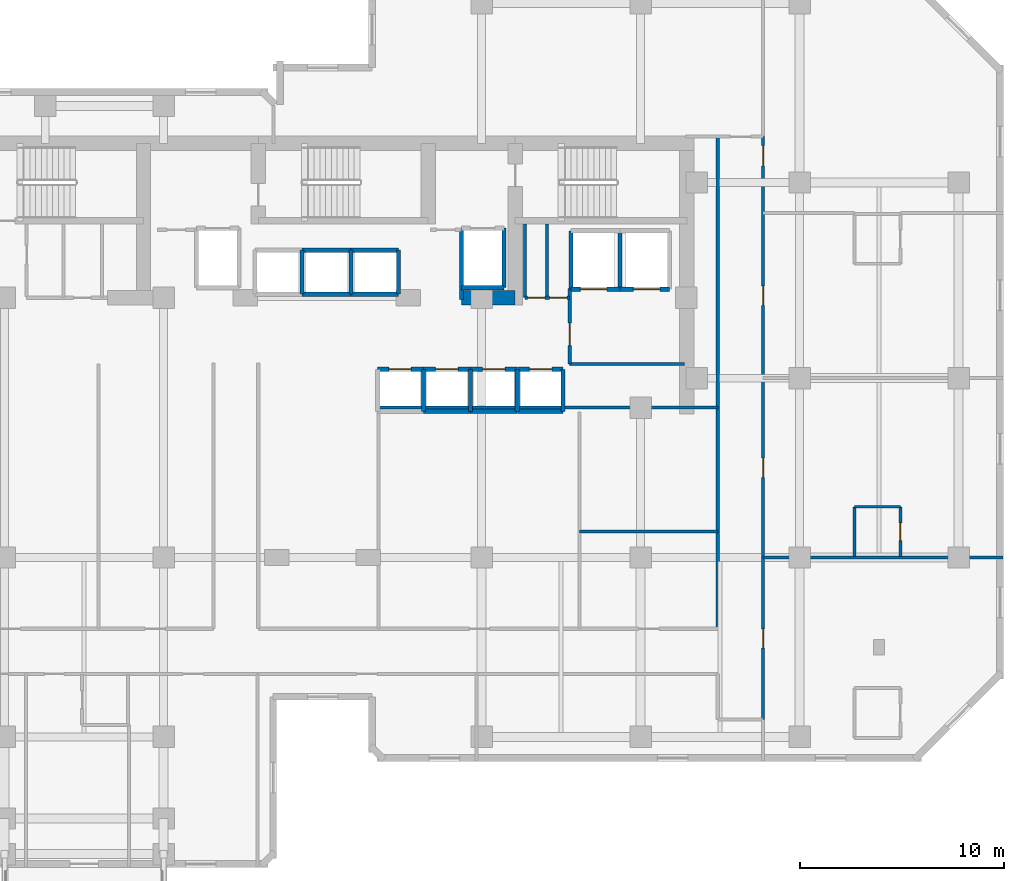
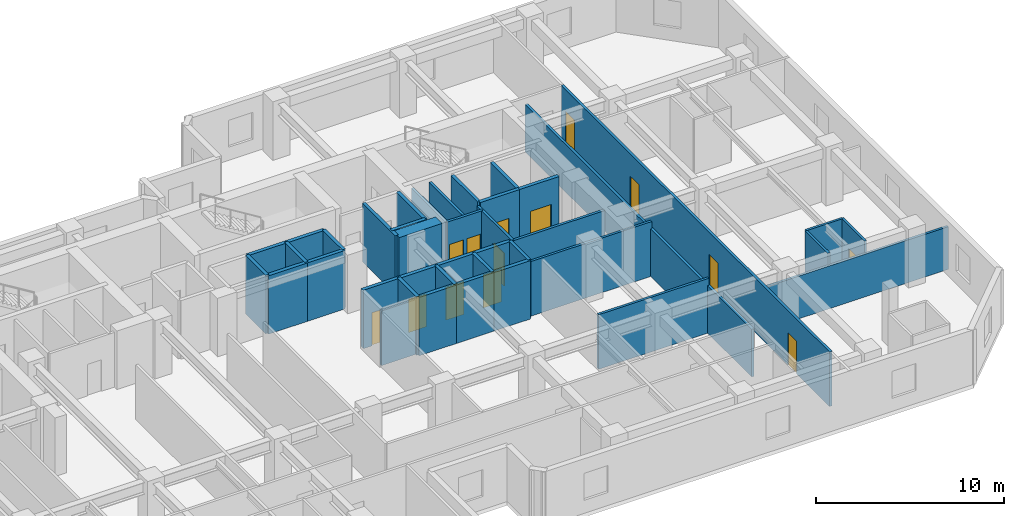
# One storey, part 7 of 11: 39 walls, 14 doors, 14 openings.
"""IFC4 building model written with IfcOpenShell, lengths in metres."""

from ifc_helpers import new_model, si_unit, direction, frame, frame_2d, origin, place, context, subcontext, project, spatial, rectangle, extrude, material, layer, layer_set, type_object, element, fill, save


model = new_model("IFC4")

# Units and contexts
model_context = context("Model", 3, precision=1e-05, world=origin(), true_north=direction((0.0, 1.0)))
body_context = subcontext(model_context, "Body", "Model", "MODEL_VIEW")
ifc_project = project(units=[si_unit("LENGTHUNIT", "METRE"), si_unit("AREAUNIT", "SQUARE_METRE"), si_unit("VOLUMEUNIT", "CUBIC_METRE"), si_unit("PLANEANGLEUNIT", "RADIAN"), si_unit("MASSUNIT", "GRAM", prefix="KILO")], contexts=[model_context])

# Site, building, storey
site_placement = place(None, origin())
site = spatial("IfcSite", under=ifc_project, at=site_placement, CompositionType="ELEMENT")
building_placement = place(site_placement, origin())
building = spatial("IfcBuilding", under=site, at=building_placement, Name="Kestravale Grand Hotel", CompositionType="ELEMENT")
storey_placement = place(building_placement, frame((0.0, 0.0, 168.800048828125)))
storey = spatial("IfcBuildingStorey", under=building, at=storey_placement, Name="L42", CompositionType="ELEMENT", Elevation=168.800048828125)

# Wall
ifc_material_1 = material(Name="Concrete f'c 60 MPa", Category="concrete")
ifc_layer_1 = layer(ifc_material_1, 0.699951171875)
ifc_layer_set_1 = layer_set([ifc_layer_1], Name="EW-CORE-700")
wall_type_1 = type_object("IfcWallType", Name="EW-CORE-700", PredefinedType="SHEAR", material=ifc_layer_set_1)
wall_1_placement = place(storey_placement, frame((45.81005859375, 32.75, 0.0), z_axis=(0.0, 0.0, 1.0), x_axis=(1.0, 0.0, 0.0)))
element("IfcWall", 1, at=wall_1_placement, inside=storey, type_object=wall_type_1, Name="L42 core shear wall S2", PredefinedType="SHEAR", context=body_context, shape_type="SweptSolid", body=[
    extrude(rectangle(XDim=2.639892578125, YDim=0.699951171875, at=frame_2d((1.31982421875, 0.0))), origin(), (0.0, 0.0, 1.0), 3.800048828125),
])

# Wall, opening, door
ifc_material_2 = material(Name="Acoustic fire-rated gypsum board partition", Category="other")
ifc_layer_2 = layer(ifc_material_2, 0.159912109375)
ifc_layer_set_2 = layer_set([ifc_layer_2], Name="IW-CORR-160")
wall_type_2 = type_object("IfcWallType", Name="IW-CORR-160", PredefinedType="PARTITIONING", material=ifc_layer_set_2)
wall_2_placement = place(storey_placement, frame((51.1201171875, 29.5, 0.0), z_axis=(0.0, 0.0, 1.0), x_axis=(0.0, 1.0, 0.0)))
wall_2 = element("IfcWall", 2, at=wall_2_placement, inside=storey, type_object=wall_type_2, Name="W-L42-SVCLOB-W", PredefinedType="PARTITIONING", context=body_context, shape_type="SweptSolid", body=[
    extrude(rectangle(XDim=3.699951171875, YDim=0.159912109375, at=frame_2d((1.85009765625, 0.0))), origin(), (0.0, 0.0, 1.0), 3.550048828125),
])
opening_1_placement = place(wall_2_placement, frame((0.89990234375, 0.0, 0.0)))
opening_1 = element("IfcOpeningElement", 3, at=opening_1_placement, cuts=wall_2, Name="Opening D-CORR-1100", PredefinedType="OPENING", context=body_context, shape_type="SweptSolid", body=[
    extrude(rectangle(XDim=1.10009765625, YDim=2.14990234375, at=frame_2d((0.550048828125, 1.074951171875))), frame((0.0, 0.08984375, 0.0), z_axis=(0.0, -1.0, 0.0), x_axis=(1.0, 0.0, 0.0)), (0.0, 0.0, 1.0), 0.179931640625),
])
ifc_material_3 = material(Name="Single-leaf service vestibule fire door", Category="steel")
door_type_1 = type_object("IfcDoorType", Name="D-CORR-1100", OperationType="NOTDEFINED", PredefinedType="DOOR", material=ifc_material_3)
door_1_placement = place(opening_1_placement, origin())
door_1 = element("IfcDoor", 4, at=door_1_placement, inside=storey, type_object=door_type_1, Name="L42 service lift lobby door", OperationType="SINGLE_SWING_LEFT", OverallHeight=2.14990234375, OverallWidth=1.10009765625, PredefinedType="DOOR", context=body_context, shape_type="SweptSolid", body=[
    extrude(rectangle(XDim=1.10009765625, YDim=2.14990234375, at=frame_2d((0.550048828125, 1.074951171875))), frame((0.0, 0.02490234375, 0.0), z_axis=(0.0, -1.0, 0.0), x_axis=(1.0, 0.0, 0.0)), (0.0, 0.0, 1.0), 0.050048828125),
])
fill(opening_1, door_1)

# Wall
wall_3_placement = place(storey_placement, frame((51.1201171875, 29.5, 0.0), z_axis=(0.0, 0.0, 1.0), x_axis=(1.0, 0.0, 0.0)))
element("IfcWall", 5, at=wall_3_placement, inside=storey, type_object=wall_type_2, Name="L42 service lift lobby wall", PredefinedType="PARTITIONING", context=body_context, shape_type="SweptSolid", body=[
    extrude(rectangle(XDim=5.6298828125, YDim=0.159912109375, at=frame_2d((2.81494140625, 0.0))), origin(), (0.0, 0.0, 1.0), 3.550048828125),
])

# Wall, openings, doors
wall_4_placement = place(storey_placement, frame((48.919921875, 32.75, 0.0), z_axis=(0.0, 0.0, 1.0), x_axis=(1.0, 0.0, 0.0)))
wall_4 = element("IfcWall", 6, at=wall_4_placement, inside=storey, type_object=wall_type_2, Name="W-L42-CES", PredefinedType="PARTITIONING", context=body_context, shape_type="SweptSolid", body=[
    extrude(rectangle(XDim=2.2001953125, YDim=0.159912109375, at=frame_2d((1.10009765625, 0.0))), origin(), (0.0, 0.0, 1.0), 3.550048828125),
])
opening_2_placement = place(wall_4_placement, frame((0.139892578125, 0.0, 0.0)))
opening_2 = element("IfcOpeningElement", 7, at=opening_2_placement, cuts=wall_4, Name="Opening D-SH-860", PredefinedType="OPENING", context=body_context, shape_type="SweptSolid", body=[
    extrude(rectangle(XDim=0.860107421875, YDim=2.050048828125, at=frame_2d((0.43017578125, 1.02490234375))), frame((0.0, 0.08984375, 0.0), z_axis=(0.0, -1.0, 0.0), x_axis=(1.0, 0.0, 0.0)), (0.0, 0.0, 1.0), 0.179931640625),
])
opening_3_placement = place(wall_4_placement, frame((1.199951171875, 0.0, 0.0)))
opening_3 = element("IfcOpeningElement", 8, at=opening_3_placement, cuts=wall_4, Name="Opening D-SH-860", PredefinedType="OPENING", context=body_context, shape_type="SweptSolid", body=[
    extrude(rectangle(XDim=0.860107421875, YDim=2.050048828125, at=frame_2d((0.43017578125, 1.02490234375))), frame((0.0, 0.08984375, 0.0), z_axis=(0.0, -1.0, 0.0), x_axis=(1.0, 0.0, 0.0)), (0.0, 0.0, 1.0), 0.179931640625),
])
ifc_material_4 = material(Name="Galvanised 90-minute riser fire door", Category="steel")
door_type_2 = type_object("IfcDoorType", Name="D-SH-860", OperationType="NOTDEFINED", PredefinedType="DOOR", material=ifc_material_4)
door_2_placement = place(opening_2_placement, origin())
door_2 = element("IfcDoor", 9, at=door_2_placement, inside=storey, type_object=door_type_2, Name="L42 CSTO1 door", OperationType="SINGLE_SWING_LEFT", OverallHeight=2.050048828125, OverallWidth=0.860107421875, PredefinedType="DOOR", context=body_context, shape_type="SweptSolid", body=[
    extrude(rectangle(XDim=0.860107421875, YDim=2.050048828125, at=frame_2d((0.43017578125, 1.02490234375))), frame((0.0, 0.02490234375, 0.0), z_axis=(0.0, -1.0, 0.0), x_axis=(1.0, 0.0, 0.0)), (0.0, 0.0, 1.0), 0.050048828125),
])
fill(opening_2, door_2)
door_3_placement = place(opening_3_placement, origin())
door_3 = element("IfcDoor", 10, at=door_3_placement, inside=storey, type_object=door_type_2, Name="L42 CSTO2 door", OperationType="SINGLE_SWING_RIGHT", OverallHeight=2.050048828125, OverallWidth=0.860107421875, PredefinedType="DOOR", context=body_context, shape_type="SweptSolid", body=[
    extrude(rectangle(XDim=0.860107421875, YDim=2.050048828125, at=frame_2d((0.43017578125, 1.02490234375))), frame((0.0, 0.02490234375, 0.0), z_axis=(0.0, -1.0, 0.0), x_axis=(1.0, 0.0, 0.0)), (0.0, 0.0, 1.0), 0.050048828125),
])
fill(opening_3, door_3)

wall_5_placement = place(storey_placement, frame((60.610107421875, 12.050048828125, 0.0), z_axis=(0.0, 0.0, 1.0), x_axis=(0.0, 1.0, 0.0)))
wall_5 = element("IfcWall", 11, at=wall_5_placement, inside=storey, type_object=wall_type_2, Name="W-L42-SE-E", PredefinedType="PARTITIONING", context=body_context, shape_type="SweptSolid", body=[
    extrude(rectangle(XDim=28.599853515625, YDim=0.159912109375, at=frame_2d((14.2998046875, 0.0))), origin(), (0.0, 0.0, 1.0), 3.550048828125),
])
opening_4_placement = place(wall_5_placement, frame((3.5, 0.0, 0.0)))
opening_4 = element("IfcOpeningElement", 12, at=opening_4_placement, cuts=wall_5, Name="Opening D-GUEST-950", PredefinedType="OPENING", context=body_context, shape_type="SweptSolid", body=[
    extrude(rectangle(XDim=0.949951171875, YDim=2.10009765625, at=frame_2d((0.47509765625, 1.050048828125))), frame((0.0, 0.08984375, 0.0), z_axis=(0.0, -1.0, 0.0), x_axis=(1.0, 0.0, 0.0)), (0.0, 0.0, 1.0), 0.179931640625),
])
opening_5_placement = place(wall_5_placement, frame((11.875, 0.0, 0.0)))
opening_5 = element("IfcOpeningElement", 13, at=opening_5_placement, cuts=wall_5, Name="Opening D-GUEST-950", PredefinedType="OPENING", context=body_context, shape_type="SweptSolid", body=[
    extrude(rectangle(XDim=0.949951171875, YDim=2.10009765625, at=frame_2d((0.47509765625, 1.050048828125))), frame((0.0, 0.08984375, 0.0), z_axis=(0.0, -1.0, 0.0), x_axis=(1.0, 0.0, 0.0)), (0.0, 0.0, 1.0), 0.179931640625),
])
opening_6_placement = place(wall_5_placement, frame((20.324951171875, 0.0, 0.0)))
opening_6 = element("IfcOpeningElement", 14, at=opening_6_placement, cuts=wall_5, Name="Opening D-GUEST-950", PredefinedType="OPENING", context=body_context, shape_type="SweptSolid", body=[
    extrude(rectangle(XDim=0.949951171875, YDim=2.10009765625, at=frame_2d((0.47509765625, 1.050048828125))), frame((0.0, 0.08984375, 0.0), z_axis=(0.0, -1.0, 0.0), x_axis=(1.0, 0.0, 0.0)), (0.0, 0.0, 1.0), 0.179931640625),
])
opening_7_placement = place(wall_5_placement, frame((27.159912109375, 0.0, 0.0)))
opening_7 = element("IfcOpeningElement", 15, at=opening_7_placement, cuts=wall_5, Name="Opening D-GUEST-1000", PredefinedType="OPENING", context=body_context, shape_type="SweptSolid", body=[
    extrude(rectangle(XDim=1.0, YDim=2.14990234375, at=frame_2d((0.5, 1.074951171875))), frame((0.0, 0.08984375, 0.0), z_axis=(0.0, -1.0, 0.0), x_axis=(1.0, 0.0, 0.0)), (0.0, 0.0, 1.0), 0.179931640625),
])
ifc_material_5 = material(Name="Accessible walnut veneer hotel entrance fire door", Category="wood")
door_type_3 = type_object("IfcDoorType", Name="D-GUEST-1000", OperationType="NOTDEFINED", PredefinedType="DOOR", material=ifc_material_5)
door_4_placement = place(opening_7_placement, origin())
door_4 = element("IfcDoor", 16, at=door_4_placement, inside=storey, type_object=door_type_3, Name="D-L42-AMEW", OperationType="SINGLE_SWING_RIGHT", OverallHeight=2.14990234375, OverallWidth=1.0, PredefinedType="DOOR", context=body_context, shape_type="SweptSolid", body=[
    extrude(rectangle(XDim=1.0, YDim=2.14990234375, at=frame_2d((0.5, 1.074951171875))), frame((0.0, 0.02490234375, 0.0), z_axis=(0.0, -1.0, 0.0), x_axis=(1.0, 0.0, 0.0)), (0.0, 0.0, 1.0), 0.050048828125),
])
fill(opening_7, door_4)
ifc_material_6 = material(Name="Walnut veneer hotel guestroom entrance fire door", Category="wood")
door_type_4 = type_object("IfcDoorType", Name="D-GUEST-950", OperationType="NOTDEFINED", PredefinedType="DOOR", material=ifc_material_6)
door_5_placement = place(opening_4_placement, origin())
door_5 = element("IfcDoor", 17, at=door_5_placement, inside=storey, type_object=door_type_4, Name="D-L42-U06-ENT", OperationType="SINGLE_SWING_LEFT", OverallHeight=2.10009765625, OverallWidth=0.949951171875, PredefinedType="DOOR", context=body_context, shape_type="SweptSolid", body=[
    extrude(rectangle(XDim=0.949951171875, YDim=2.10009765625, at=frame_2d((0.47509765625, 1.050048828125))), frame((0.0, 0.02490234375, 0.0), z_axis=(0.0, -1.0, 0.0), x_axis=(1.0, 0.0, 0.0)), (0.0, 0.0, 1.0), 0.050048828125),
])
fill(opening_4, door_5)
door_6_placement = place(opening_5_placement, origin())
door_6 = element("IfcDoor", 18, at=door_6_placement, inside=storey, type_object=door_type_4, Name="D-L42-U07-ENT", OperationType="SINGLE_SWING_LEFT", OverallHeight=2.10009765625, OverallWidth=0.949951171875, PredefinedType="DOOR", context=body_context, shape_type="SweptSolid", body=[
    extrude(rectangle(XDim=0.949951171875, YDim=2.10009765625, at=frame_2d((0.47509765625, 1.050048828125))), frame((0.0, 0.02490234375, 0.0), z_axis=(0.0, -1.0, 0.0), x_axis=(1.0, 0.0, 0.0)), (0.0, 0.0, 1.0), 0.050048828125),
])
fill(opening_5, door_6)
door_7_placement = place(opening_6_placement, origin())
door_7 = element("IfcDoor", 19, at=door_7_placement, inside=storey, type_object=door_type_4, Name="D-L42-U08-ENT", OperationType="SINGLE_SWING_LEFT", OverallHeight=2.10009765625, OverallWidth=0.949951171875, PredefinedType="DOOR", context=body_context, shape_type="SweptSolid", body=[
    extrude(rectangle(XDim=0.949951171875, YDim=2.10009765625, at=frame_2d((0.47509765625, 1.050048828125))), frame((0.0, 0.02490234375, 0.0), z_axis=(0.0, -1.0, 0.0), x_axis=(1.0, 0.0, 0.0)), (0.0, 0.0, 1.0), 0.050048828125),
])
fill(opening_6, door_7)

# Walls
wall_6_placement = place(storey_placement, frame((58.389892578125, 16.510009765625, 0.0), z_axis=(0.0, 0.0, 1.0), x_axis=(0.0, 1.0, 0.0)))
element("IfcWall", 20, at=wall_6_placement, inside=storey, type_object=wall_type_2, Name="W-L42-SE-WU", PredefinedType="PARTITIONING", context=body_context, shape_type="SweptSolid", body=[
    extrude(rectangle(XDim=24.139892578125, YDim=0.159912109375, at=frame_2d((12.06982421875, 0.0))), origin(), (0.0, 0.0, 1.0), 3.093017578125),
])
ifc_material_7 = material(Name="Moisture-resistant tile-backer plumbing chase wall", Category="other")
ifc_layer_3 = layer(ifc_material_7, 0.139892578125)
ifc_layer_set_3 = layer_set([ifc_layer_3], Name="IW-PLB-140")
wall_type_3 = type_object("IfcWallType", Name="IW-PLB-140", PredefinedType="PLUMBINGWALL", material=ifc_layer_set_3)
wall_7_placement = place(storey_placement, frame((65.10009765625, 20.0400390625, 0.0), z_axis=(0.0, 0.0, 1.0), x_axis=(0.0, 1.0, 0.0)))
element("IfcWall", 21, at=wall_7_placement, inside=storey, type_object=wall_type_3, Name="W-L42-U07-BW", PredefinedType="PLUMBINGWALL", context=body_context, shape_type="SweptSolid", body=[
    extrude(rectangle(XDim=2.449951171875, YDim=0.139892578125, at=frame_2d((1.22509765625, 0.0))), origin(), (0.0, 0.0, 1.0), 3.550048828125),
])

# Wall, opening, door
wall_8_placement = place(storey_placement, frame((67.35009765625, 20.0400390625, 0.0), z_axis=(0.0, 0.0, 1.0), x_axis=(0.0, 1.0, 0.0)))
wall_8 = element("IfcWall", 22, at=wall_8_placement, inside=storey, type_object=wall_type_3, Name="W-L42-U07-BE", PredefinedType="PLUMBINGWALL", context=body_context, shape_type="SweptSolid", body=[
    extrude(rectangle(XDim=2.449951171875, YDim=0.139892578125, at=frame_2d((1.22509765625, 0.0))), origin(), (0.0, 0.0, 1.0), 3.550048828125),
])
opening_8_placement = place(wall_8_placement, frame((0.784912109375, 0.0, 0.0)))
opening_8 = element("IfcOpeningElement", 23, at=opening_8_placement, cuts=wall_8, Name="Opening D-BATH-880", PredefinedType="OPENING", context=body_context, shape_type="SweptSolid", body=[
    extrude(rectangle(XDim=0.8798828125, YDim=2.050048828125, at=frame_2d((0.43994140625, 1.02490234375))), frame((0.0, 0.079833984375, 0.0), z_axis=(0.0, -1.0, 0.0), x_axis=(1.0, 0.0, 0.0)), (0.0, 0.0, 1.0), 0.159912109375),
])
ifc_material_8 = material(Name="Moisture-sealed walnut en-suite bathroom door", Category="wood")
door_type_5 = type_object("IfcDoorType", Name="D-BATH-880", OperationType="NOTDEFINED", PredefinedType="DOOR", material=ifc_material_8)
door_8_placement = place(opening_8_placement, origin())
door_8 = element("IfcDoor", 24, at=door_8_placement, inside=storey, type_object=door_type_5, Name="D-L42-U07-BATH", OperationType="SINGLE_SWING_RIGHT", OverallHeight=2.050048828125, OverallWidth=0.8798828125, PredefinedType="DOOR", context=body_context, shape_type="SweptSolid", body=[
    extrude(rectangle(XDim=0.8798828125, YDim=2.050048828125, at=frame_2d((0.43994140625, 1.02490234375))), frame((0.0, 0.02490234375, 0.0), z_axis=(0.0, -1.0, 0.0), x_axis=(1.0, 0.0, 0.0)), (0.0, 0.0, 1.0), 0.050048828125),
])
fill(opening_8, door_8)

# Walls
wall_9_placement = place(storey_placement, frame((65.10009765625, 22.489990234375, 0.0), z_axis=(0.0, 0.0, 1.0), x_axis=(1.0, 0.0, 0.0)))
element("IfcWall", 25, at=wall_9_placement, inside=storey, type_object=wall_type_3, Name="W-L42-U07-BN", PredefinedType="PLUMBINGWALL", context=body_context, shape_type="SweptSolid", body=[
    extrude(rectangle(XDim=2.25, YDim=0.139892578125, at=frame_2d((1.125, 0.0))), origin(), (0.0, 0.0, 1.0), 3.550048828125),
])
ifc_material_9 = material(Name="Concrete f'c 45 MPa", Category="concrete")
ifc_layer_4 = layer(ifc_material_9, 0.199951171875)
ifc_layer_set_4 = layer_set([ifc_layer_4], Name="IW-SHAFT-200")
wall_type_4 = type_object("IfcWallType", Name="IW-SHAFT-200", PredefinedType="SHEAR", material=ifc_layer_set_4)
for number, where, z_axis, x_axis, name in (
    (26, (43.949951171875, 27.169921875, 0.0), (0.0, 0.0, 1.0), (0.0, 1.0, 0.0), "L42 PL-M2 west shaft wall"),
    (27, (46.25, 27.169921875, 0.0), (0.0, 0.0, 1.0), (0.0, 1.0, 0.0), "L42 PL-M3 west shaft wall"),
    (28, (48.550048828125, 27.169921875, 0.0), (0.0, 0.0, 1.0), (0.0, 1.0, 0.0), "L42 PL-M4 west shaft wall"),
    (29, (50.794921875, 27.169921875, 0.0), (0.0, 0.0, 1.0), (0.0, 1.0, 0.0), "L42 PL-M4 east shaft wall"),
):
    element("IfcWall", number, at=place(storey_placement, frame(where, z_axis=z_axis, x_axis=x_axis)), inside=storey, type_object=wall_type_4, Name=name, PredefinedType="SHEAR", context=body_context, shape_type="SweptSolid", body=[
        extrude(rectangle(XDim=2.06005859375, YDim=0.199951171875, at=frame_2d((1.030029296875, 0.0))), origin(), (0.0, 0.0, 1.0), 3.800048828125),
    ])
for number, where, z_axis, x_axis, name in (
    (30, (38.0, 32.919921875, 0.0), (0.0, 0.0, 1.0), (0.0, 1.0, 0.0), "L42 PL-X2 west shaft wall"),
    (31, (40.39990234375, 32.919921875, 0.0), (0.0, 0.0, 1.0), (0.0, 1.0, 0.0), "L42 PL-X3 west shaft wall"),
    (32, (42.719970703125, 32.919921875, 0.0), (0.0, 0.0, 1.0), (0.0, 1.0, 0.0), "L42 PL-X3 east shaft wall"),
):
    element("IfcWall", number, at=place(storey_placement, frame(where, z_axis=z_axis, x_axis=x_axis)), inside=storey, type_object=wall_type_4, Name=name, PredefinedType="SHEAR", context=body_context, shape_type="SweptSolid", body=[
        extrude(rectangle(XDim=2.16015625, YDim=0.199951171875, at=frame_2d((1.080078125, 0.0))), origin(), (0.0, 0.0, 1.0), 3.800048828125),
    ])
for number, where, z_axis, x_axis, name in (
    (33, (51.179931640625, 33.169921875, 0.0), (0.0, 0.0, 1.0), (0.0, 1.0, 0.0), "L42 SL-1 west shaft wall"),
    (34, (53.60009765625, 33.169921875, 0.0), (0.0, 0.0, 1.0), (0.0, 1.0, 0.0), "L42 SL-2 west shaft wall"),
):
    element("IfcWall", number, at=place(storey_placement, frame(where, z_axis=z_axis, x_axis=x_axis)), inside=storey, type_object=wall_type_4, Name=name, PredefinedType="SHEAR", context=body_context, shape_type="SweptSolid", body=[
        extrude(rectangle(XDim=2.860107421875, YDim=0.199951171875, at=frame_2d((1.43017578125, 0.0))), origin(), (0.0, 0.0, 1.0), 3.800048828125),
    ])
wall_10_placement = place(storey_placement, frame((45.804931640625, 32.64990234375, 0.0), z_axis=(0.0, 0.0, 1.0), x_axis=(0.0, 1.0, 0.0)))
element("IfcWall", 35, at=wall_10_placement, inside=storey, type_object=wall_type_4, Name="L42 FL-2 west shaft wall", PredefinedType="SHEAR", context=body_context, shape_type="SweptSolid", body=[
    extrude(rectangle(XDim=3.505126953125, YDim=0.199951171875, at=frame_2d((1.75244140625, 0.0))), origin(), (0.0, 0.0, 1.0), 3.800048828125),
])
wall_11_placement = place(storey_placement, frame((47.89501953125, 33.2451171875, 0.0), z_axis=(0.0, 0.0, 1.0), x_axis=(0.0, 1.0, 0.0)))
element("IfcWall", 36, at=wall_11_placement, inside=storey, type_object=wall_type_4, Name="L42 FL-2 east shaft wall", PredefinedType="SHEAR", context=body_context, shape_type="SweptSolid", body=[
    extrude(rectangle(XDim=2.909912109375, YDim=0.199951171875, at=frame_2d((1.455078125, 0.0))), origin(), (0.0, 0.0, 1.0), 3.800048828125),
])

# Wall, opening, door
ifc_material_10 = material(Name="Concrete f'c 45 MPa", Category="concrete")
ifc_layer_5 = layer(ifc_material_10, 0.219970703125)
ifc_layer_set_5 = layer_set([ifc_layer_5], Name="IW-SHAFT-220")
wall_type_5 = type_object("IfcWallType", Name="IW-SHAFT-220", PredefinedType="SHEAR", material=ifc_layer_set_5)
wall_12_placement = place(storey_placement, frame((41.705078125, 29.22998046875, 0.0), z_axis=(0.0, 0.0, 1.0), x_axis=(1.0, 0.0, 0.0)))
wall_12 = element("IfcWall", 37, at=wall_12_placement, inside=storey, type_object=wall_type_5, Name="L42 PL-M1 north shaft wall", PredefinedType="SHEAR", context=body_context, shape_type="SweptSolid", body=[
    extrude(rectangle(XDim=2.244873046875, YDim=0.219970703125, at=frame_2d((1.12255859375, 0.0))), origin(), (0.0, 0.0, 1.0), 3.800048828125),
])
opening_9_placement = place(wall_12_placement, frame((0.544921875, 0.0, 0.0)))
opening_9 = element("IfcOpeningElement", 38, at=opening_9_placement, cuts=wall_12, Name="Opening LD-PAX-1100", PredefinedType="OPENING", context=body_context, shape_type="SweptSolid", body=[
    extrude(rectangle(XDim=1.10009765625, YDim=2.14990234375, at=frame_2d((0.550048828125, 1.074951171875))), frame((0.0, 0.119873046875, 0.0), z_axis=(0.0, -1.0, 0.0), x_axis=(1.0, 0.0, 0.0)), (0.0, 0.0, 1.0), 0.239990234375),
])
ifc_material_11 = material(Name="Champagne-bronze center-opening sliding elevator landing door", Category="steel")
door_type_6 = type_object("IfcDoorType", Name="LD-PAX-1100", OperationType="NOTDEFINED", PredefinedType="DOOR", material=ifc_material_11)
door_9_placement = place(opening_9_placement, origin())
door_9 = element("IfcDoor", 39, at=door_9_placement, inside=storey, type_object=door_type_6, Name="L42 PL-M1 elevator landing sliding door", OperationType="DOUBLE_DOOR_SLIDING", OverallHeight=2.14990234375, OverallWidth=1.10009765625, PredefinedType="DOOR", context=body_context, shape_type="SweptSolid", body=[
    extrude(rectangle(XDim=1.10009765625, YDim=2.14990234375, at=frame_2d((0.550048828125, 1.074951171875))), frame((0.0, 0.02490234375, 0.0), z_axis=(0.0, -1.0, 0.0), x_axis=(1.0, 0.0, 0.0)), (0.0, 0.0, 1.0), 0.050048828125),
])
fill(opening_9, door_9)

wall_13_placement = place(storey_placement, frame((43.949951171875, 29.22998046875, 0.0), z_axis=(0.0, 0.0, 1.0), x_axis=(1.0, 0.0, 0.0)))
wall_13 = element("IfcWall", 40, at=wall_13_placement, inside=storey, type_object=wall_type_5, Name="L42 PL-M2 north shaft wall", PredefinedType="SHEAR", context=body_context, shape_type="SweptSolid", body=[
    extrude(rectangle(XDim=2.300048828125, YDim=0.219970703125, at=frame_2d((1.14990234375, 0.0))), origin(), (0.0, 0.0, 1.0), 3.800048828125),
])
opening_10_placement = place(wall_13_placement, frame((0.60009765625, 0.0, 0.0)))
opening_10 = element("IfcOpeningElement", 41, at=opening_10_placement, cuts=wall_13, Name="Opening LD-PAX-1100", PredefinedType="OPENING", context=body_context, shape_type="SweptSolid", body=[
    extrude(rectangle(XDim=1.10009765625, YDim=2.14990234375, at=frame_2d((0.550048828125, 1.074951171875))), frame((0.0, 0.119873046875, 0.0), z_axis=(0.0, -1.0, 0.0), x_axis=(1.0, 0.0, 0.0)), (0.0, 0.0, 1.0), 0.239990234375),
])
door_10_placement = place(opening_10_placement, origin())
door_10 = element("IfcDoor", 42, at=door_10_placement, inside=storey, type_object=door_type_6, Name="L42 PL-M2 elevator landing sliding door", OperationType="DOUBLE_DOOR_SLIDING", OverallHeight=2.14990234375, OverallWidth=1.10009765625, PredefinedType="DOOR", context=body_context, shape_type="SweptSolid", body=[
    extrude(rectangle(XDim=1.10009765625, YDim=2.14990234375, at=frame_2d((0.550048828125, 1.074951171875))), frame((0.0, 0.02490234375, 0.0), z_axis=(0.0, -1.0, 0.0), x_axis=(1.0, 0.0, 0.0)), (0.0, 0.0, 1.0), 0.050048828125),
])
fill(opening_10, door_10)

# Wall
wall_14_placement = place(storey_placement, frame((43.949951171875, 27.169921875, 0.0), z_axis=(0.0, 0.0, 1.0), x_axis=(1.0, 0.0, 0.0)))
element("IfcWall", 43, at=wall_14_placement, inside=storey, type_object=wall_type_5, Name="L42 PL-M2 south shaft wall", PredefinedType="SHEAR", context=body_context, shape_type="SweptSolid", body=[
    extrude(rectangle(XDim=2.300048828125, YDim=0.219970703125, at=frame_2d((1.14990234375, 0.0))), origin(), (0.0, 0.0, 1.0), 3.800048828125),
])

# Wall, opening, door
wall_15_placement = place(storey_placement, frame((46.25, 29.22998046875, 0.0), z_axis=(0.0, 0.0, 1.0), x_axis=(1.0, 0.0, 0.0)))
wall_15 = element("IfcWall", 44, at=wall_15_placement, inside=storey, type_object=wall_type_5, Name="L42 PL-M3 north shaft wall", PredefinedType="SHEAR", context=body_context, shape_type="SweptSolid", body=[
    extrude(rectangle(XDim=2.300048828125, YDim=0.219970703125, at=frame_2d((1.14990234375, 0.0))), origin(), (0.0, 0.0, 1.0), 3.800048828125),
])
opening_11_placement = place(wall_15_placement, frame((0.60009765625, 0.0, 0.0)))
opening_11 = element("IfcOpeningElement", 45, at=opening_11_placement, cuts=wall_15, Name="Opening LD-PAX-1100", PredefinedType="OPENING", context=body_context, shape_type="SweptSolid", body=[
    extrude(rectangle(XDim=1.10009765625, YDim=2.14990234375, at=frame_2d((0.550048828125, 1.074951171875))), frame((0.0, 0.119873046875, 0.0), z_axis=(0.0, -1.0, 0.0), x_axis=(1.0, 0.0, 0.0)), (0.0, 0.0, 1.0), 0.239990234375),
])
door_11_placement = place(opening_11_placement, origin())
door_11 = element("IfcDoor", 46, at=door_11_placement, inside=storey, type_object=door_type_6, Name="L42 PL-M3 elevator landing sliding door", OperationType="DOUBLE_DOOR_SLIDING", OverallHeight=2.14990234375, OverallWidth=1.10009765625, PredefinedType="DOOR", context=body_context, shape_type="SweptSolid", body=[
    extrude(rectangle(XDim=1.10009765625, YDim=2.14990234375, at=frame_2d((0.550048828125, 1.074951171875))), frame((0.0, 0.02490234375, 0.0), z_axis=(0.0, -1.0, 0.0), x_axis=(1.0, 0.0, 0.0)), (0.0, 0.0, 1.0), 0.050048828125),
])
fill(opening_11, door_11)

# Wall
wall_16_placement = place(storey_placement, frame((46.25, 27.169921875, 0.0), z_axis=(0.0, 0.0, 1.0), x_axis=(1.0, 0.0, 0.0)))
element("IfcWall", 47, at=wall_16_placement, inside=storey, type_object=wall_type_5, Name="L42 PL-M3 south shaft wall", PredefinedType="SHEAR", context=body_context, shape_type="SweptSolid", body=[
    extrude(rectangle(XDim=2.300048828125, YDim=0.219970703125, at=frame_2d((1.14990234375, 0.0))), origin(), (0.0, 0.0, 1.0), 3.800048828125),
])

# Wall, opening, door
wall_17_placement = place(storey_placement, frame((48.550048828125, 29.22998046875, 0.0), z_axis=(0.0, 0.0, 1.0), x_axis=(1.0, 0.0, 0.0)))
wall_17 = element("IfcWall", 48, at=wall_17_placement, inside=storey, type_object=wall_type_5, Name="L42 PL-M4 north shaft wall", PredefinedType="SHEAR", context=body_context, shape_type="SweptSolid", body=[
    extrude(rectangle(XDim=2.244873046875, YDim=0.219970703125, at=frame_2d((1.12255859375, 0.0))), origin(), (0.0, 0.0, 1.0), 3.800048828125),
])
opening_12_placement = place(wall_17_placement, frame((0.60009765625, 0.0, 0.0)))
opening_12 = element("IfcOpeningElement", 49, at=opening_12_placement, cuts=wall_17, Name="Opening LD-PAX-1100", PredefinedType="OPENING", context=body_context, shape_type="SweptSolid", body=[
    extrude(rectangle(XDim=1.10009765625, YDim=2.14990234375, at=frame_2d((0.550048828125, 1.074951171875))), frame((0.0, 0.119873046875, 0.0), z_axis=(0.0, -1.0, 0.0), x_axis=(1.0, 0.0, 0.0)), (0.0, 0.0, 1.0), 0.239990234375),
])
door_12_placement = place(opening_12_placement, origin())
door_12 = element("IfcDoor", 50, at=door_12_placement, inside=storey, type_object=door_type_6, Name="L42 PL-M4 elevator landing sliding door", OperationType="DOUBLE_DOOR_SLIDING", OverallHeight=2.14990234375, OverallWidth=1.10009765625, PredefinedType="DOOR", context=body_context, shape_type="SweptSolid", body=[
    extrude(rectangle(XDim=1.10009765625, YDim=2.14990234375, at=frame_2d((0.550048828125, 1.074951171875))), frame((0.0, 0.02490234375, 0.0), z_axis=(0.0, -1.0, 0.0), x_axis=(1.0, 0.0, 0.0)), (0.0, 0.0, 1.0), 0.050048828125),
])
fill(opening_12, door_12)

# Walls
wall_18_placement = place(storey_placement, frame((48.550048828125, 27.169921875, 0.0), z_axis=(0.0, 0.0, 1.0), x_axis=(1.0, 0.0, 0.0)))
element("IfcWall", 51, at=wall_18_placement, inside=storey, type_object=wall_type_5, Name="L42 PL-M4 south shaft wall", PredefinedType="SHEAR", context=body_context, shape_type="SweptSolid", body=[
    extrude(rectangle(XDim=2.244873046875, YDim=0.219970703125, at=frame_2d((1.12255859375, 0.0))), origin(), (0.0, 0.0, 1.0), 3.800048828125),
])
for number, where, z_axis, x_axis, name in (
    (52, (38.0, 35.080078125, 0.0), (0.0, 0.0, 1.0), (1.0, 0.0, 0.0), "L42 PL-X2 north shaft wall"),
    (53, (38.0, 32.919921875, 0.0), (0.0, 0.0, 1.0), (1.0, 0.0, 0.0), "L42 PL-X2 south shaft wall"),
):
    element("IfcWall", number, at=place(storey_placement, frame(where, z_axis=z_axis, x_axis=x_axis)), inside=storey, type_object=wall_type_5, Name=name, PredefinedType="SHEAR", context=body_context, shape_type="SweptSolid", body=[
        extrude(rectangle(XDim=2.39990234375, YDim=0.219970703125, at=frame_2d((1.199951171875, 0.0))), origin(), (0.0, 0.0, 1.0), 3.800048828125),
    ])
for number, where, z_axis, x_axis, name in (
    (54, (40.39990234375, 35.080078125, 0.0), (0.0, 0.0, 1.0), (1.0, 0.0, 0.0), "L42 PL-X3 north shaft wall"),
    (55, (40.39990234375, 32.919921875, 0.0), (0.0, 0.0, 1.0), (1.0, 0.0, 0.0), "L42 PL-X3 south shaft wall"),
):
    element("IfcWall", number, at=place(storey_placement, frame(where, z_axis=z_axis, x_axis=x_axis)), inside=storey, type_object=wall_type_5, Name=name, PredefinedType="SHEAR", context=body_context, shape_type="SweptSolid", body=[
        extrude(rectangle(XDim=2.320068359375, YDim=0.219970703125, at=frame_2d((1.16015625, 0.0))), origin(), (0.0, 0.0, 1.0), 3.800048828125),
    ])

# Wall, opening, door
wall_19_placement = place(storey_placement, frame((51.179931640625, 33.169921875, 0.0), z_axis=(0.0, 0.0, 1.0), x_axis=(1.0, 0.0, 0.0)))
wall_19 = element("IfcWall", 56, at=wall_19_placement, inside=storey, type_object=wall_type_5, Name="L42 SL-1 south shaft wall", PredefinedType="SHEAR", context=body_context, shape_type="SweptSolid", body=[
    extrude(rectangle(XDim=2.420166015625, YDim=0.219970703125, at=frame_2d((1.2099609375, 0.0))), origin(), (0.0, 0.0, 1.0), 3.800048828125),
])
opening_13_placement = place(wall_19_placement, frame((0.469970703125, 0.0, 0.0)))
opening_13 = element("IfcOpeningElement", 57, at=opening_13_placement, cuts=wall_19, Name="Opening LD-SVC-1300", PredefinedType="OPENING", context=body_context, shape_type="SweptSolid", body=[
    extrude(rectangle(XDim=1.300048828125, YDim=2.14990234375, at=frame_2d((0.64990234375, 1.074951171875))), frame((0.0, 0.119873046875, 0.0), z_axis=(0.0, -1.0, 0.0), x_axis=(1.0, 0.0, 0.0)), (0.0, 0.0, 1.0), 0.239990234375),
])
ifc_material_12 = material(Name="Heavy-duty service sliding elevator landing door", Category="steel")
door_type_7 = type_object("IfcDoorType", Name="LD-SVC-1300", OperationType="NOTDEFINED", PredefinedType="DOOR", material=ifc_material_12)
door_13_placement = place(opening_13_placement, origin())
door_13 = element("IfcDoor", 58, at=door_13_placement, inside=storey, type_object=door_type_7, Name="L42 SL-1 elevator landing sliding door", OperationType="DOUBLE_DOOR_SLIDING", OverallHeight=2.14990234375, OverallWidth=1.300048828125, PredefinedType="DOOR", context=body_context, shape_type="SweptSolid", body=[
    extrude(rectangle(XDim=1.300048828125, YDim=2.14990234375, at=frame_2d((0.64990234375, 1.074951171875))), frame((0.0, 0.02490234375, 0.0), z_axis=(0.0, -1.0, 0.0), x_axis=(1.0, 0.0, 0.0)), (0.0, 0.0, 1.0), 0.050048828125),
])
fill(opening_13, door_13)

wall_20_placement = place(storey_placement, frame((53.60009765625, 33.169921875, 0.0), z_axis=(0.0, 0.0, 1.0), x_axis=(1.0, 0.0, 0.0)))
wall_20 = element("IfcWall", 59, at=wall_20_placement, inside=storey, type_object=wall_type_5, Name="L42 SL-2 south shaft wall", PredefinedType="SHEAR", context=body_context, shape_type="SweptSolid", body=[
    extrude(rectangle(XDim=2.419921875, YDim=0.219970703125, at=frame_2d((1.2099609375, 0.0))), origin(), (0.0, 0.0, 1.0), 3.800048828125),
])
opening_14_placement = place(wall_20_placement, frame((0.64990234375, 0.0, 0.0)))
opening_14 = element("IfcOpeningElement", 60, at=opening_14_placement, cuts=wall_20, Name="Opening LD-SVC-1300", PredefinedType="OPENING", context=body_context, shape_type="SweptSolid", body=[
    extrude(rectangle(XDim=1.300048828125, YDim=2.14990234375, at=frame_2d((0.64990234375, 1.074951171875))), frame((0.0, 0.119873046875, 0.0), z_axis=(0.0, -1.0, 0.0), x_axis=(1.0, 0.0, 0.0)), (0.0, 0.0, 1.0), 0.239990234375),
])
door_14_placement = place(opening_14_placement, origin())
door_14 = element("IfcDoor", 61, at=door_14_placement, inside=storey, type_object=door_type_7, Name="L42 SL-2 elevator landing sliding door", OperationType="DOUBLE_DOOR_SLIDING", OverallHeight=2.14990234375, OverallWidth=1.300048828125, PredefinedType="DOOR", context=body_context, shape_type="SweptSolid", body=[
    extrude(rectangle(XDim=1.300048828125, YDim=2.14990234375, at=frame_2d((0.64990234375, 1.074951171875))), frame((0.0, 0.02490234375, 0.0), z_axis=(0.0, -1.0, 0.0), x_axis=(1.0, 0.0, 0.0)), (0.0, 0.0, 1.0), 0.050048828125),
])
fill(opening_14, door_14)

# Walls
wall_21_placement = place(storey_placement, frame((45.804931640625, 33.2451171875, 0.0), z_axis=(0.0, 0.0, 1.0), x_axis=(1.0, 0.0, 0.0)))
element("IfcWall", 62, at=wall_21_placement, inside=storey, type_object=wall_type_5, Name="L42 FL-2 south shaft wall", PredefinedType="SHEAR", context=body_context, shape_type="SweptSolid", body=[
    extrude(rectangle(XDim=2.090087890625, YDim=0.219970703125, at=frame_2d((1.044921875, 0.0))), origin(), (0.0, 0.0, 1.0), 3.800048828125),
])
ifc_material_13 = material(Name="Double-stud STC 52 acoustic demising partition", Category="other")
ifc_layer_6 = layer(ifc_material_13, 0.14990234375)
ifc_layer_set_6 = layer_set([ifc_layer_6], Name="IW-UNIT-150")
wall_type_6 = type_object("IfcWallType", Name="IW-UNIT-150", PredefinedType="PARTITIONING", material=ifc_layer_set_6)
for number, where, z_axis, x_axis, name in (
    (63, (48.919921875, 32.75, 0.0), (0.0, 0.0, 1.0), (0.0, 1.0, 0.0), "W-L42-CEW"),
    (64, (50.010009765625, 32.75, 0.0), (0.0, 0.0, 1.0), (0.0, 1.0, 0.0), "W-L42-CC1-EM"),
):
    element("IfcWall", number, at=place(storey_placement, frame(where, z_axis=z_axis, x_axis=x_axis)), inside=storey, type_object=wall_type_6, Name=name, PredefinedType="PARTITIONING", context=body_context, shape_type="SweptSolid", body=[
        extrude(rectangle(XDim=3.6201171875, YDim=0.14990234375, at=frame_2d((1.81005859375, 0.0))), origin(), (0.0, 0.0, 1.0), 3.550048828125),
    ])
wall_22_placement = place(storey_placement, frame((41.75, 27.35009765625, 0.0), z_axis=(0.0, 0.0, 1.0), x_axis=(1.0, 0.0, 0.0)))
element("IfcWall", 65, at=wall_22_placement, inside=storey, type_object=wall_type_6, Name="W-L42-RCLE-N", PredefinedType="PARTITIONING", context=body_context, shape_type="SweptSolid", body=[
    extrude(rectangle(XDim=16.639892578125, YDim=0.14990234375, at=frame_2d((8.31982421875, 0.0))), origin(), (0.0, 0.0, 1.0), 3.550048828125),
])
wall_23_placement = place(storey_placement, frame((51.60009765625, 21.27001953125, 0.0), z_axis=(0.0, 0.0, 1.0), x_axis=(1.0, 0.0, 0.0)))
element("IfcWall", 66, at=wall_23_placement, inside=storey, type_object=wall_type_6, Name="W-L42-RCLE-H", PredefinedType="PARTITIONING", context=body_context, shape_type="SweptSolid", body=[
    extrude(rectangle(XDim=6.789794921875, YDim=0.14990234375, at=frame_2d((3.39501953125, 0.0))), origin(), (0.0, 0.0, 1.0), 3.550048828125),
])
wall_24_placement = place(storey_placement, frame((60.610107421875, 20.0, 0.0), z_axis=(0.0, 0.0, 1.0), x_axis=(1.0, 0.0, 0.0)))
element("IfcWall", 67, at=wall_24_placement, inside=storey, type_object=wall_type_6, Name="W-L42-EW-1", PredefinedType="PARTITIONING", context=body_context, shape_type="SweptSolid", body=[
    extrude(rectangle(XDim=11.769775390625, YDim=0.14990234375, at=frame_2d((5.884765625, 0.0))), origin(), (0.0, 0.0, 1.0), 2.77783203125),
])

save(model, "model.ifc")
